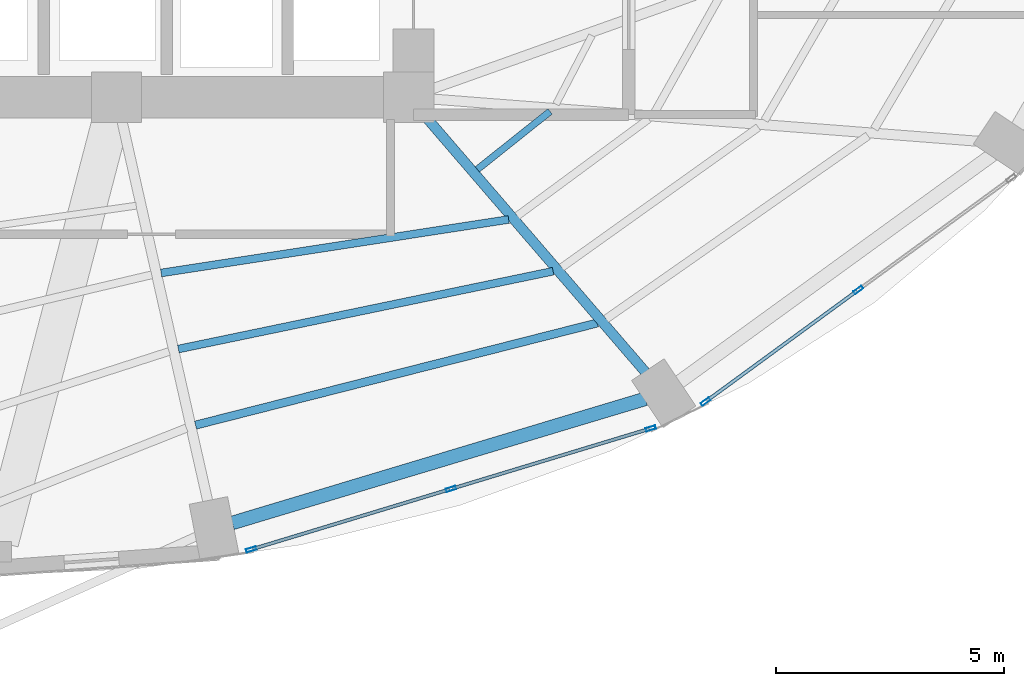
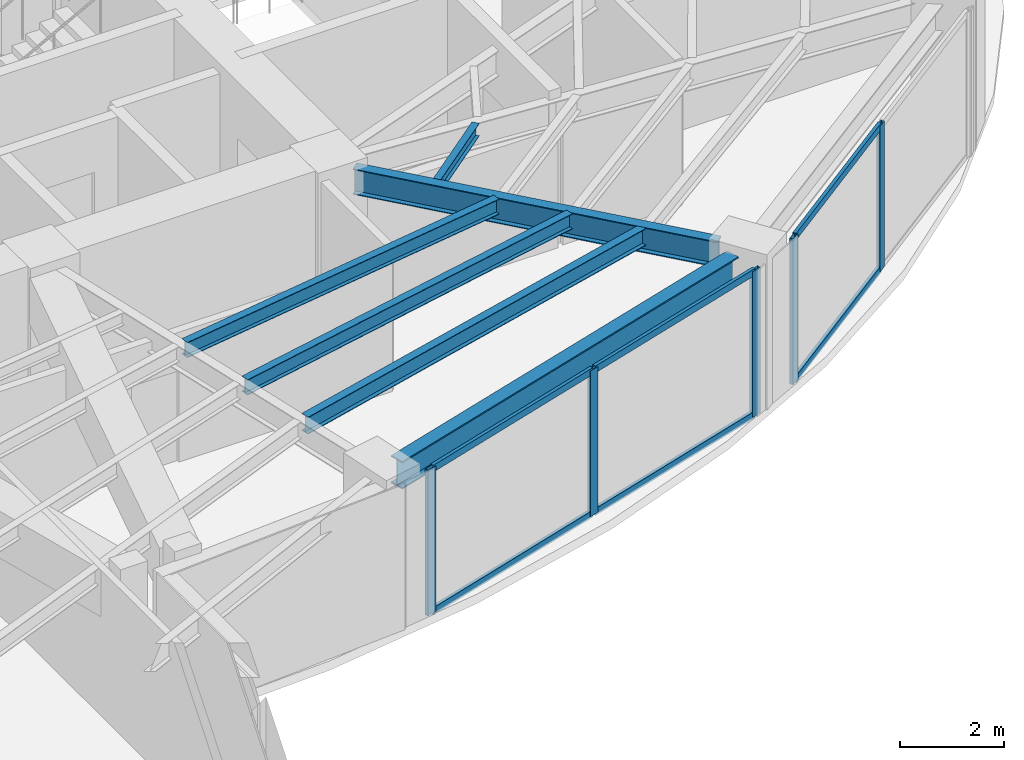
# One storey, part 9 of 24: 11 members, 6 beams, 2 elements without a shape of their own.
"""IFC4 building model written with IfcOpenShell, lengths in metres."""

from ifc_helpers import new_model, si_unit, direction, frame, origin, origin_2d, place, context, subcontext, project, spatial, hollow_rectangle, i_section, extrude, material, layer, layer_set, material_profile, profile_set, type_object, element, aggregate, save


model = new_model("IFC4")

# Units and contexts
model_context = context("Model", 3, precision=1e-05, world=origin(), true_north=direction((0.0, 1.0)))
body_context = subcontext(model_context, "Body", "Model", "MODEL_VIEW")
ifc_project = project(units=[si_unit("LENGTHUNIT", "METRE"), si_unit("AREAUNIT", "SQUARE_METRE"), si_unit("VOLUMEUNIT", "CUBIC_METRE"), si_unit("PLANEANGLEUNIT", "RADIAN"), si_unit("MASSUNIT", "GRAM", prefix="KILO")], contexts=[model_context])

# Site, building, storey
site_placement = place(None, origin())
site = spatial("IfcSite", under=ifc_project, at=site_placement, CompositionType="ELEMENT")
building_placement = place(site_placement, origin())
building = spatial("IfcBuilding", under=site, at=building_placement, Name="Lazwardi Medical Tower", CompositionType="ELEMENT")
storey_placement = place(building_placement, frame((0.0, 0.0, 39.7919921875)))
storey = spatial("IfcBuildingStorey", under=building, at=storey_placement, Name="L09", CompositionType="ELEMENT", Elevation=39.7919921875)

# Beams
ifc_material_1 = material(Name="Steel S355", Category="steel")
ifc_material_profile_1 = material_profile(ifc_material_1, i_section(OverallWidth=0.300048828125, OverallDepth=0.64990234375, WebThickness=0.01611328125, FlangeThickness=0.031005859375, at=origin_2d()), Name="HEB 650")
ifc_profile_set_1 = profile_set([ifc_material_profile_1], Name="Steel S355")
beam_type_1 = type_object("IfcBeamType", Name="BM-RB-Z1", PredefinedType="BEAM", material=ifc_profile_set_1)
beam_1_placement = place(storey_placement, frame((41.73291015625, 11.076904296875, 3.10302734375), z_axis=(0.957695289269, 0.287784177662, 0.0), x_axis=(-0.287784177662, 0.957695289269, 0.0)))
element("IfcBeam", 1, at=beam_1_placement, inside=storey, type_object=beam_type_1, Name="Ring beam RB-02 B01 L09", PredefinedType="BEAM", context=body_context, shape_type="SweptSolid", body=[
    extrude(i_section(OverallWidth=0.300048828125, OverallDepth=0.64990234375, WebThickness=0.01611328125, FlangeThickness=0.031005859375, at=origin_2d()), origin(), (0.0, 0.0, 1.0), 9.445556640625),
])
ifc_material_profile_2 = material_profile(ifc_material_1, i_section(OverallWidth=0.219970703125, OverallDepth=0.60009765625, WebThickness=0.011962890625, FlangeThickness=0.01904296875, at=origin_2d()), Name="IPE 600")
ifc_profile_set_2 = profile_set([ifc_material_profile_2], Name="Steel S355")
beam_type_2 = type_object("IfcBeamType", Name="BM-RG-W1", PredefinedType="BEAM", material=ifc_profile_set_2)
beam_2_placement = place(storey_placement, frame((50.802490234375, 14.355712890625, 3.1279296875), z_axis=(-0.652368190463, 0.757902199543, 0.0), x_axis=(-0.757902199543, -0.652368190463, 0.0)))
element("IfcBeam", 2, at=beam_2_placement, inside=storey, type_object=beam_type_2, Name="Radial girder RG-02 R02 L09", PredefinedType="BEAM", context=body_context, shape_type="SweptSolid", body=[
    extrude(i_section(OverallWidth=0.219970703125, OverallDepth=0.60009765625, WebThickness=0.011962890625, FlangeThickness=0.01904296875, at=origin_2d()), origin(), (0.0, 0.0, 1.0), 7.43994140625),
])
ifc_material_profile_3 = material_profile(ifc_material_1, i_section(OverallWidth=0.179931640625, OverallDepth=0.39990234375, WebThickness=0.008544921875, FlangeThickness=0.013427734375, at=origin_2d()), Name="IPE 400")
ifc_profile_set_3 = profile_set([ifc_material_profile_3], Name="Steel S355")
beam_type_3 = type_object("IfcBeamType", Name="BM-SJ-01", PredefinedType="JOIST", material=ifc_profile_set_3)
beam_3_placement = place(storey_placement, frame((40.927734375, 13.218994140625, 3.22802734375), z_axis=(0.969151012048, 0.246467677081, 0.0), x_axis=(-0.246467677081, 0.969151012048, 0.0)))
element("IfcBeam", 3, at=beam_3_placement, inside=storey, type_object=beam_type_3, Name="Secondary joist SJ-01 R1 B01 L09", PredefinedType="JOIST", context=body_context, shape_type="SweptSolid", body=[
    extrude(i_section(OverallWidth=0.179931640625, OverallDepth=0.39990234375, WebThickness=0.008544921875, FlangeThickness=0.013427734375, at=origin_2d()), origin(), (0.0, 0.0, 1.0), 9.08251953125),
])
ifc_material_profile_4 = material_profile(ifc_material_1, i_section(OverallWidth=0.169921875, OverallDepth=0.360107421875, WebThickness=0.008056640625, FlangeThickness=0.0126953125, at=origin_2d()), Name="IPE 360")
ifc_profile_set_4 = profile_set([ifc_material_profile_4], Name="Steel S355")
beam_type_4 = type_object("IfcBeamType", Name="BM-SJ-02", PredefinedType="JOIST", material=ifc_profile_set_4)
beam_4_placement = place(storey_placement, frame((40.5517578125, 14.885498046875, 3.248046875), z_axis=(0.979107693723, 0.203342381445, 0.0), x_axis=(-0.203342381445, 0.979107693723, 0.0)))
element("IfcBeam", 4, at=beam_4_placement, inside=storey, type_object=beam_type_4, Name="Secondary joist SJ-02 R2 B01 L09", PredefinedType="JOIST", context=body_context, shape_type="SweptSolid", body=[
    extrude(i_section(OverallWidth=0.169921875, OverallDepth=0.360107421875, WebThickness=0.008056640625, FlangeThickness=0.0126953125, at=origin_2d()), origin(), (0.0, 0.0, 1.0), 8.381591796875),
])
beam_5_placement = place(storey_placement, frame((40.175537109375, 16.551513671875, 3.248046875), z_axis=(0.988362899594, 0.152114360618, 0.0), x_axis=(-0.152114360618, 0.988362899594, 0.0)))
element("IfcBeam", 5, at=beam_5_placement, inside=storey, type_object=beam_type_4, Name="Secondary joist SJ-02 R3 B01 L09", PredefinedType="JOIST", context=body_context, shape_type="SweptSolid", body=[
    extrude(i_section(OverallWidth=0.169921875, OverallDepth=0.360107421875, WebThickness=0.008056640625, FlangeThickness=0.0126953125, at=origin_2d()), origin(), (0.0, 0.0, 1.0), 7.70068359375),
])
ifc_material_profile_5 = material_profile(ifc_material_1, i_section(OverallWidth=0.14990234375, OverallDepth=0.300048828125, WebThickness=0.007080078125, FlangeThickness=0.0107421875, at=origin_2d()), Name="IPE 300")
ifc_profile_set_5 = profile_set([ifc_material_profile_5], Name="Steel S355")
beam_type_5 = type_object("IfcBeamType", Name="BM-SJ-03", PredefinedType="JOIST", material=ifc_profile_set_5)
beam_6_placement = place(storey_placement, frame((47.098876953125, 18.8193359375, 3.278076171875), z_axis=(0.782210957226, 0.623013658274, 0.0), x_axis=(-0.623013658274, 0.782210957226, 0.0)))
element("IfcBeam", 6, at=beam_6_placement, inside=storey, type_object=beam_type_5, Name="Secondary joist SJ-03 R4 B02 L09", PredefinedType="JOIST", context=body_context, shape_type="SweptSolid", body=[
    extrude(i_section(OverallWidth=0.14990234375, OverallDepth=0.300048828125, WebThickness=0.007080078125, FlangeThickness=0.0107421875, at=origin_2d()), origin(), (0.0, 0.0, 1.0), 2.0380859375),
])

# Curtain wall, members
ifc_material_2 = material(Name="Anodised bronze aluminium and solar control glazing", Category="aluminium")
ifc_layer = layer(ifc_material_2, 0.199951171875)
ifc_layer_set = layer_set([ifc_layer], Name="Anodised bronze aluminium and solar control glazing")
curtain_wall_type = type_object("IfcCurtainWallType", Name="CW-SYS-02", PredefinedType="NOTDEFINED", material=ifc_layer_set)
curtain_wall_1_placement = place(storey_placement, origin())
curtain_wall_1 = element("IfcCurtainWall", 7, at=curtain_wall_1_placement, inside=storey, type_object=curtain_wall_type, Name="L09 Unitised bronze curtain wall CW-02", PredefinedType="NOTDEFINED")
ifc_material_3 = material(Name="Anodised bronze aluminium", Category="aluminium")
ifc_material_profile_6 = material_profile(ifc_material_3, hollow_rectangle(XDim=0.074951171875, YDim=0.219970703125, WallThickness=0.00390625, at=origin_2d()), Name="ALU-MULLION 220x75x4")
ifc_profile_set_6 = profile_set([ifc_material_profile_6], Name="Anodised bronze aluminium")
member_type_1 = type_object("IfcMemberType", Name="CW-MUL-01", PredefinedType="MULLION", material=ifc_profile_set_6)
member_1_placement = place(storey_placement, frame((42.14794921875, 10.496337890625, 0.0), z_axis=(0.0, 0.0, 1.0), x_axis=(-0.2898956909, 0.957058247129, 0.0)))
member_1 = element("IfcMember", 8, at=member_1_placement, type_object=member_type_1, Name="CW-02 mullion 1", PredefinedType="MULLION", context=body_context, shape_type="SweptSolid", body=[
    extrude(hollow_rectangle(XDim=0.074951171875, YDim=0.219970703125, WallThickness=0.00390625, at=origin_2d()), origin(), (0.0, 0.0, 1.0), 3.427978515625),
])
member_2_placement = place(storey_placement, frame((46.523193359375, 11.821533203125, 0.0), z_axis=(0.0, 0.0, 1.0), x_axis=(-0.2898956909, 0.957058247129, 0.0)))
member_2 = element("IfcMember", 9, at=member_2_placement, type_object=member_type_1, Name="CW-02 mullion 2", PredefinedType="MULLION", context=body_context, shape_type="SweptSolid", body=[
    extrude(hollow_rectangle(XDim=0.074951171875, YDim=0.219970703125, WallThickness=0.00390625, at=origin_2d()), origin(), (0.0, 0.0, 1.0), 3.427978515625),
])
member_3_placement = place(storey_placement, frame((50.8984375, 13.146728515625, 0.0), z_axis=(0.0, 0.0, 1.0), x_axis=(-0.2898956909, 0.957058247129, 0.0)))
member_3 = element("IfcMember", 10, at=member_3_placement, type_object=member_type_1, Name="CW-02 mullion 3", PredefinedType="MULLION", context=body_context, shape_type="SweptSolid", body=[
    extrude(hollow_rectangle(XDim=0.074951171875, YDim=0.219970703125, WallThickness=0.00390625, at=origin_2d()), origin(), (0.0, 0.0, 1.0), 3.427978515625),
])

curtain_wall_2_placement = place(storey_placement, origin())
curtain_wall_2 = element("IfcCurtainWall", 11, at=curtain_wall_2_placement, inside=storey, type_object=curtain_wall_type, Name="L09 Unitised bronze curtain wall CW-02", PredefinedType="NOTDEFINED")
member_4_placement = place(storey_placement, frame((52.0986328125, 13.73388671875, 0.0), z_axis=(0.0, 0.0, 1.0), x_axis=(-0.590289307341, 0.807191757663, 0.0)))
member_4 = element("IfcMember", 12, at=member_4_placement, type_object=member_type_1, Name="CW-02 mullion 1", PredefinedType="MULLION", context=body_context, shape_type="SweptSolid", body=[
    extrude(hollow_rectangle(XDim=0.074951171875, YDim=0.219970703125, WallThickness=0.00390625, at=origin_2d()), origin(), (0.0, 0.0, 1.0), 3.427978515625),
])
member_5_placement = place(storey_placement, frame((55.4443359375, 16.1806640625, 0.0), z_axis=(0.0, 0.0, 1.0), x_axis=(-0.590289307341, 0.807191757663, 0.0)))
member_5 = element("IfcMember", 13, at=member_5_placement, type_object=member_type_1, Name="CW-02 mullion 2", PredefinedType="MULLION", context=body_context, shape_type="SweptSolid", body=[
    extrude(hollow_rectangle(XDim=0.074951171875, YDim=0.219970703125, WallThickness=0.00390625, at=origin_2d()), origin(), (0.0, 0.0, 1.0), 3.427978515625),
])

# Member
ifc_material_profile_7 = material_profile(ifc_material_3, hollow_rectangle(XDim=0.074951171875, YDim=0.159912109375, WallThickness=0.00390625, at=origin_2d()), Name="ALU-TRANSOM 160x75x4")
ifc_profile_set_7 = profile_set([ifc_material_profile_7], Name="Anodised bronze aluminium")
member_type_2 = type_object("IfcMemberType", Name="CW-TRN-01", PredefinedType="USERDEFINED", material=ifc_profile_set_7)
member_6_placement = place(storey_placement, frame((42.183837890625, 10.507080078125, 0.03759765625), z_axis=(0.957047233423, 0.28993204893, 0.0), x_axis=(-0.28993204893, 0.957047233423, 0.0)))
member_6 = element("IfcMember", 14, at=member_6_placement, type_object=member_type_2, Name="CW-02 transom 1.1", ObjectType="TRANSOM", PredefinedType="USERDEFINED", context=body_context, shape_type="SweptSolid", body=[
    extrude(hollow_rectangle(XDim=0.074951171875, YDim=0.159912109375, WallThickness=0.00390625, at=origin_2d()), origin(), (0.0, 0.0, 1.0), 4.49658203125),
])

member_7_placement = place(storey_placement, frame((42.183837890625, 10.507080078125, 3.390625), z_axis=(0.957047233423, 0.28993204893, 0.0), x_axis=(-0.28993204893, 0.957047233423, 0.0)))
member_7 = element("IfcMember", 15, at=member_7_placement, type_object=member_type_2, Name="CW-02 transom 1.2", ObjectType="TRANSOM", PredefinedType="USERDEFINED", context=body_context, shape_type="SweptSolid", body=[
    extrude(hollow_rectangle(XDim=0.074951171875, YDim=0.159912109375, WallThickness=0.00390625, at=origin_2d()), origin(), (0.0, 0.0, 1.0), 4.49658203125),
])

member_8_placement = place(storey_placement, frame((46.55908203125, 11.83251953125, 0.03759765625), z_axis=(0.957062297904, 0.289882317383, 0.0), x_axis=(-0.289882317383, 0.957062297904, 0.0)))
member_8 = element("IfcMember", 16, at=member_8_placement, type_object=member_type_2, Name="CW-02 transom 2.1", ObjectType="TRANSOM", PredefinedType="USERDEFINED", context=body_context, shape_type="SweptSolid", body=[
    extrude(hollow_rectangle(XDim=0.074951171875, YDim=0.159912109375, WallThickness=0.00390625, at=origin_2d()), origin(), (0.0, 0.0, 1.0), 4.49658203125),
])

member_9_placement = place(storey_placement, frame((46.55908203125, 11.83251953125, 3.390625), z_axis=(0.957062297904, 0.289882317383, 0.0), x_axis=(-0.289882317383, 0.957062297904, 0.0)))
member_9 = element("IfcMember", 17, at=member_9_placement, type_object=member_type_2, Name="CW-02 transom 2.2", ObjectType="TRANSOM", PredefinedType="USERDEFINED", context=body_context, shape_type="SweptSolid", body=[
    extrude(hollow_rectangle(XDim=0.074951171875, YDim=0.159912109375, WallThickness=0.00390625, at=origin_2d()), origin(), (0.0, 0.0, 1.0), 4.49658203125),
])

aggregate(curtain_wall_1, [member_1, member_2, member_3, member_6, member_7, member_8, member_9])

member_10_placement = place(storey_placement, frame((52.12890625, 13.756103515625, 0.03759765625), z_axis=(0.807197636578, 0.590281268128, 0.0), x_axis=(-0.590281268128, 0.807197636578, 0.0)))
member_10 = element("IfcMember", 18, at=member_10_placement, type_object=member_type_2, Name="CW-02 transom 1.1", ObjectType="TRANSOM", PredefinedType="USERDEFINED", context=body_context, shape_type="SweptSolid", body=[
    extrude(hollow_rectangle(XDim=0.074951171875, YDim=0.159912109375, WallThickness=0.00390625, at=origin_2d()), origin(), (0.0, 0.0, 1.0), 4.06982421875),
])

member_11_placement = place(storey_placement, frame((52.12890625, 13.756103515625, 3.390625), z_axis=(0.807197636578, 0.590281268128, 0.0), x_axis=(-0.590281268128, 0.807197636578, 0.0)))
member_11 = element("IfcMember", 19, at=member_11_placement, type_object=member_type_2, Name="CW-02 transom 1.2", ObjectType="TRANSOM", PredefinedType="USERDEFINED", context=body_context, shape_type="SweptSolid", body=[
    extrude(hollow_rectangle(XDim=0.074951171875, YDim=0.159912109375, WallThickness=0.00390625, at=origin_2d()), origin(), (0.0, 0.0, 1.0), 4.06982421875),
])

aggregate(curtain_wall_2, [member_4, member_5, member_10, member_11])

save(model, "model.ifc")
